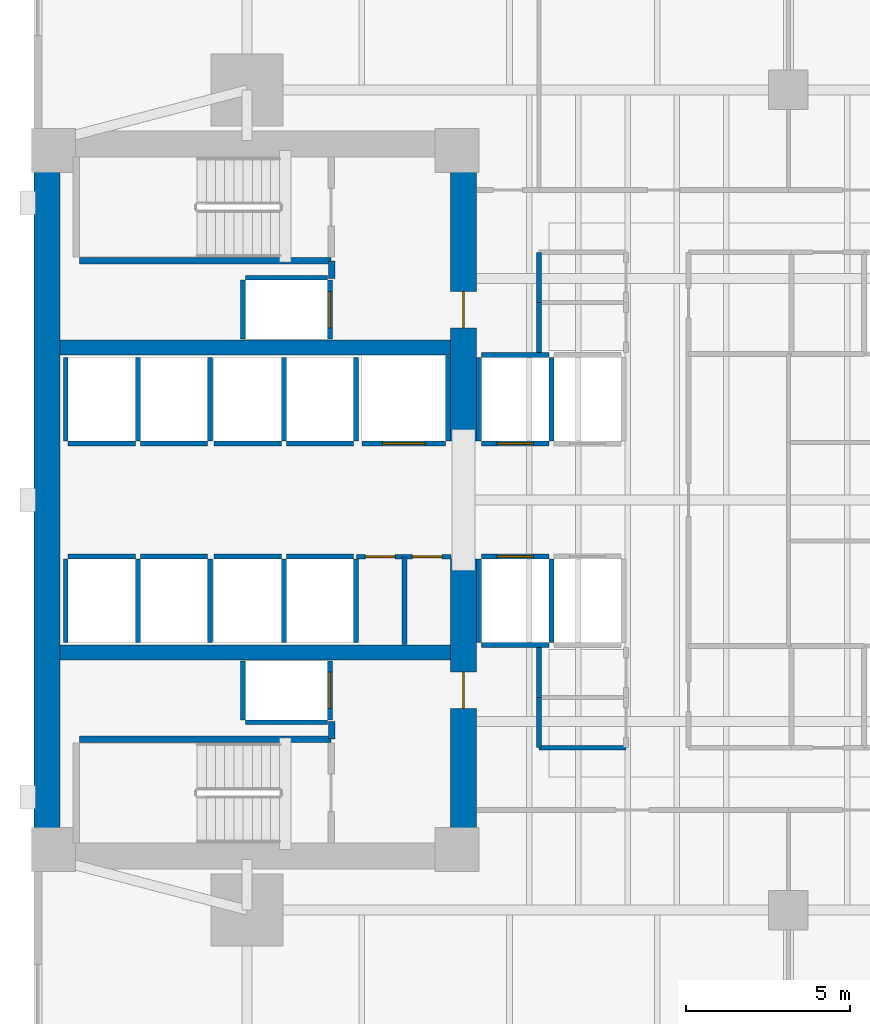
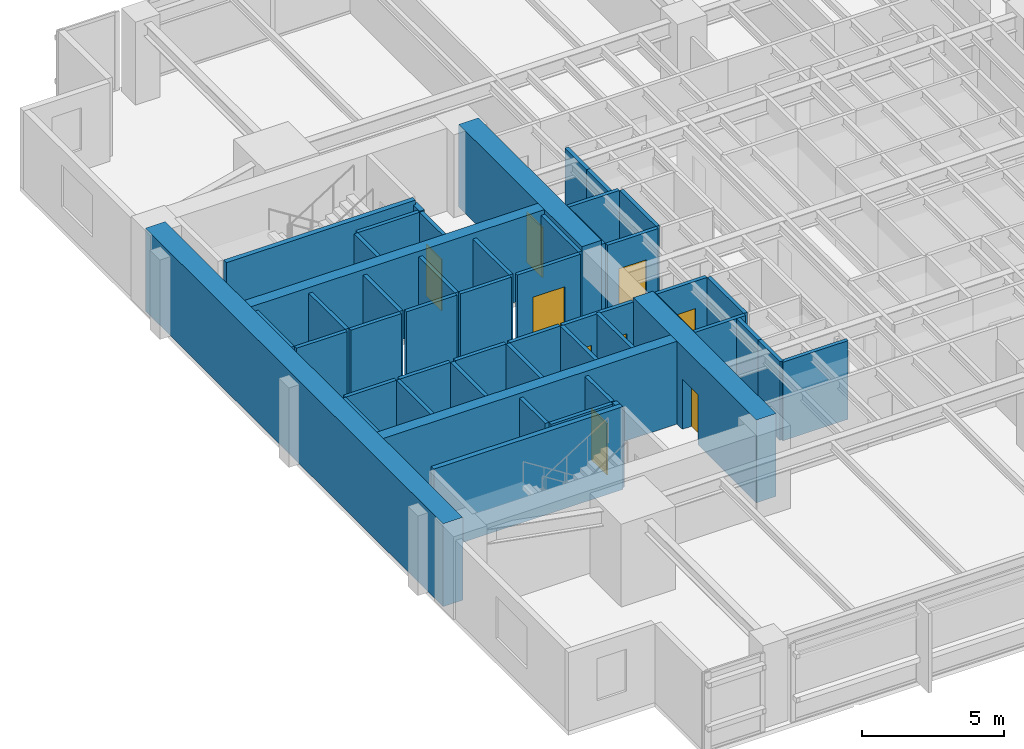
# One storey, part 8 of 15: 50 walls, 9 doors, 9 openings.
"""IFC4 building model written with IfcOpenShell, lengths in metres."""

import ifcopenshell
import ifcopenshell.guid

model = None  # the IFC model being written
_history = None  # IfcOwnerHistory: only IFC2X3 demands one
_inside = {}  # id of a spatial element -> (the spatial element, [elements in it])
_under = {}  # id of a project, library or spatial element -> (it, [spatial elements below it])
_declared = {}  # id of a project -> (the project, [libraries it declares])
_typed = {}  # id of a type object -> (the type object, [elements of that type])
_made_of = {}  # id of a material, layer set ... -> (it, [elements and type objects made of it])


def new_model(schema):
    """Start an empty IFC model of exactly this schema.

    Asked for "IFC4X3", IfcOpenShell would pick the latest addendum, in which some entities
    have other attributes; the version numbers below select the first issue.
    IFC2X3 requires an IfcOwnerHistory on every rooted entity: one is made here for all.
    """
    global model, _history
    if schema == "IFC4X3":
        model = ifcopenshell.file(schema_version=(4, 3, 0, 0))
    else:
        model = ifcopenshell.file(schema=schema)
    _inside.clear()
    _under.clear()
    _declared.clear()
    _typed.clear()
    _made_of.clear()
    _history = None
    if model.schema == "IFC2X3":
        org = make("IfcOrganization", Name="unknown")
        user = make(
            "IfcPersonAndOrganization",
            ThePerson=make("IfcPerson", FamilyName="unknown"),
            TheOrganization=org,
        )
        app = make(
            "IfcApplication",
            ApplicationDeveloper=org,
            Version="unknown",
            ApplicationFullName="unknown",
            ApplicationIdentifier="unknown",
        )
        _history = make(
            "IfcOwnerHistory",
            OwningUser=user,
            OwningApplication=app,
            ChangeAction="ADDED",
            CreationDate=0,
        )
    return model


def make(cls, **values):
    """One entity of the class cls with the attributes given. An attribute that is None is left unset."""
    return model.create_entity(
        cls, **{name: value for name, value in values.items() if value is not None}
    )


def rooted(cls, **values):
    """An entity with a GlobalId (a new one), such as an element, a storey or a relation."""
    return make(cls, GlobalId=ifcopenshell.guid.new(), OwnerHistory=_history, **values)


def si_unit(unit_type, name, prefix=None):
    """IfcSIUnit, for example si_unit("LENGTHUNIT", "METRE", prefix="MILLI")."""
    return make("IfcSIUnit", UnitType=unit_type, Prefix=prefix, Name=name)


def assignment(units):
    """IfcUnitAssignment: the units of a project."""
    return None if units is None else make("IfcUnitAssignment", Units=units)


def point(xyz):
    """IfcCartesianPoint."""
    return None if xyz is None else make("IfcCartesianPoint", Coordinates=xyz)


def direction(xyz):
    """IfcDirection."""
    return None if xyz is None else make("IfcDirection", DirectionRatios=xyz)


def frame(location, z_axis=None, x_axis=None):
    """IfcAxis2Placement3D, a coordinate frame: its origin and axes. An axis left out is left unset."""
    return make(
        "IfcAxis2Placement3D",
        Location=point(location),
        Axis=direction(z_axis),
        RefDirection=direction(x_axis),
    )


def frame_2d(location, x_axis=None):
    """IfcAxis2Placement2D, a coordinate frame in the plane: its origin and x axis."""
    return make(
        "IfcAxis2Placement2D", Location=point(location), RefDirection=direction(x_axis)
    )


def origin():
    """The frame at (0, 0, 0) with its axes left unset."""
    return frame((0.0, 0.0, 0.0))


def place(relative_to, where):
    """IfcLocalPlacement: puts the frame where relative to a parent placement (None: the world)."""
    return make(
        "IfcLocalPlacement", PlacementRelTo=relative_to, RelativePlacement=where
    )


def context(
    kind, dimensions, precision=None, world=None, true_north=None, identifier=None
):
    """IfcGeometricRepresentationContext, for example the 3D "Model" context."""
    return make(
        "IfcGeometricRepresentationContext",
        ContextIdentifier=identifier,
        ContextType=kind,
        CoordinateSpaceDimension=dimensions,
        Precision=precision,
        WorldCoordinateSystem=world,
        TrueNorth=true_north,
    )


def subcontext(parent, identifier, kind, view, scale=None):
    """IfcGeometricRepresentationSubContext, for example "Body" below "Model"."""
    return make(
        "IfcGeometricRepresentationSubContext",
        ContextIdentifier=identifier,
        ContextType=kind,
        ParentContext=parent,
        TargetScale=scale,
        TargetView=view,
    )


def project(units=None, contexts=None):
    """IfcProject with its units and contexts."""
    return rooted(
        "IfcProject",
        Name="project",
        RepresentationContexts=contexts,
        UnitsInContext=assignment(units),
    )


def spatial(cls, under=None, at=None, **own):
    """A site, building, storey or space (cls), placed at a placement, below another one or the project."""
    s = rooted(cls, ObjectPlacement=at, **own)
    if under is not None:
        _under.setdefault(under.id(), (under, []))[1].append(s)
    return s


def profile(cls, at=None, kind="AREA", **sizes):
    """A parametric profile (cls). Its sizes go by their IFC names, for example OverallWidth=200.0."""
    return make(cls, ProfileType=kind, Position=at, **sizes)


def rectangle(**sizes):
    """IfcRectangleProfileDef."""
    return profile("IfcRectangleProfileDef", **sizes)


def extrude(swept, where, along, depth):
    """IfcExtrudedAreaSolid: the profile swept, set in the frame where, extruded along a direction by depth."""
    return make(
        "IfcExtrudedAreaSolid",
        SweptArea=swept,
        Position=where,
        ExtrudedDirection=direction(along),
        Depth=depth,
    )


def shape(context_of_items, identifier, shape_type, items):
    """IfcShapeRepresentation: the items that make up one representation, for example the "Body"."""
    return make(
        "IfcShapeRepresentation",
        ContextOfItems=context_of_items,
        RepresentationIdentifier=identifier,
        RepresentationType=shape_type,
        Items=items,
    )


def material(Name=None, Category=None):
    """IfcMaterial."""
    return make("IfcMaterial", Name=Name, Category=Category)


def layer(
    of_material, thickness, ventilated=None, Name=None, Category=None, Priority=None
):
    """IfcMaterialLayer: one layer of a wall or slab, of a material (None: an air gap)."""
    return make(
        "IfcMaterialLayer",
        Material=of_material,
        LayerThickness=thickness,
        IsVentilated=ventilated,
        Name=Name,
        Category=Category,
        Priority=Priority,
    )


def layer_set(layers, Name=None):
    """IfcMaterialLayerSet."""
    return make("IfcMaterialLayerSet", MaterialLayers=layers, LayerSetName=Name)


def made_of(thing, what):
    """Note that an element or type object is made of a material, layer set ...; save() writes the relation."""
    if what is not None:
        _made_of.setdefault(what.id(), (what, []))[1].append(thing)
    return thing


def type_object(cls, material=None, **own):
    """A type object (cls), such as IfcWallType, which elements share."""
    return made_of(rooted(cls, **own), material)


def element(
    cls,
    number,
    at=None,
    inside=None,
    cuts=None,
    type_object=None,
    material=None,
    context=None,
    identifier="Body",
    shape_type=None,
    held_by="IfcProductDefinitionShape",
    body=None,
    shapes=None,
    **own,
):
    """One element of the class cls, such as IfcWall. Its Tag is "e" and its number.

    at: its placement. inside: the storey or other place that contains it. cuts: it is an
    opening in that element (IfcRelVoidsElement). A single representation is given by context,
    identifier, shape_type and body (its items); several are given by shapes. held_by: the class
    of the entity that holds the representations. save() writes the other relations.
    """
    e = rooted(cls, Tag="e%d" % number, ObjectPlacement=at, **own)
    if body is not None:
        shapes = [shape(context, identifier, shape_type, body)]
    if shapes is not None:
        e.Representation = make(held_by, Representations=shapes)
    if inside is not None:
        _inside.setdefault(inside.id(), (inside, []))[1].append(e)
    if cuts is not None:
        rooted(
            "IfcRelVoidsElement", RelatingBuildingElement=cuts, RelatedOpeningElement=e
        )
    if type_object is not None:
        _typed.setdefault(type_object.id(), (type_object, []))[1].append(e)
    return made_of(e, material)


def fill(opening, filler):
    """IfcRelFillsElement: the door or window that sits in an opening."""
    return rooted(
        "IfcRelFillsElement",
        RelatingOpeningElement=opening,
        RelatedBuildingElement=filler,
    )


def aggregate(whole, parts):
    """IfcRelAggregates: a whole, such as a stair, and the parts it consists of."""
    return rooted("IfcRelAggregates", RelatingObject=whole, RelatedObjects=parts)


def save(model, path):
    """Write the relations noted so far, then the file.

    IfcRelAggregates (storeys below a building ...), IfcRelContainedInSpatialStructure (elements
    in a storey), IfcRelDefinesByType, IfcRelAssociatesMaterial and IfcRelDeclares: one each for
    every whole, place, type object, material and project.
    """
    for whole, parts in _under.values():
        aggregate(whole, parts)
    for where, things in _inside.values():
        rooted(
            "IfcRelContainedInSpatialStructure",
            RelatedElements=things,
            RelatingStructure=where,
        )
    for kind, things in _typed.values():
        rooted("IfcRelDefinesByType", RelatedObjects=things, RelatingType=kind)
    for what, things in _made_of.values():
        rooted("IfcRelAssociatesMaterial", RelatedObjects=things, RelatingMaterial=what)
    for by, libraries in _declared.values():
        rooted("IfcRelDeclares", RelatingContext=by, RelatedDefinitions=libraries)
    model.write(path)


model = new_model("IFC4")

# Units and contexts
model_context = context("Model", 3, precision=1e-05, world=origin(), true_north=direction((0.0, 1.0)))
body_context = subcontext(model_context, "Body", "Model", "MODEL_VIEW")
ifc_project = project(units=[si_unit("LENGTHUNIT", "METRE"), si_unit("AREAUNIT", "SQUARE_METRE"), si_unit("VOLUMEUNIT", "CUBIC_METRE"), si_unit("PLANEANGLEUNIT", "RADIAN"), si_unit("MASSUNIT", "GRAM", prefix="KILO")], contexts=[model_context])

# Site, building, storey
site_placement = place(None, origin())
site = spatial("IfcSite", under=ifc_project, at=site_placement, CompositionType="ELEMENT")
building_placement = place(site_placement, origin())
building = spatial("IfcBuilding", under=site, at=building_placement, Name="Kinhvarn Gate Tower", CompositionType="ELEMENT")
storey_placement = place(building_placement, frame((0.0, 0.0, 71.75)))
storey = spatial("IfcBuildingStorey", under=building, at=storey_placement, Name="L18", CompositionType="ELEMENT", Elevation=71.75)

# Walls
ifc_material_1 = material(Name="Concrete C50/60", Category="concrete")
ifc_layer_1 = layer(ifc_material_1, 0.449951171875)
ifc_layer_set_1 = layer_set([ifc_layer_1], Name="Concrete C50/60")
wall_type_1 = type_object("IfcWallType", Name="WL-CORE-450", PredefinedType="SHEAR", material=ifc_layer_set_1)
for number, where, z_axis, x_axis, name in (
    (1, (5.300048828125, 20.60009765625, 0.0), (0.0, 0.0, 1.0), (1.0, 0.0, 0.0), "Core South Spine Shear Wall L18 450 mm"),
    (2, (5.300048828125, 29.89990234375, 0.0), (0.0, 0.0, 1.0), (1.0, 0.0, 0.0), "Core North Spine Shear Wall L18 450 mm"),
):
    element("IfcWall", number, at=place(storey_placement, frame(where, z_axis=z_axis, x_axis=x_axis)), inside=storey, type_object=wall_type_1, Name=name, PredefinedType="SHEAR", context=body_context, shape_type="SweptSolid", body=[
        extrude(rectangle(XDim=11.89990234375, YDim=0.449951171875, at=frame_2d((5.949951171875, 0.0))), origin(), (0.0, 0.0, 1.0), 3.550048828125),
    ])

# Wall, opening, door
ifc_material_2 = material(Name="Concrete C70/85", Category="concrete")
ifc_layer_2 = layer(ifc_material_2, 0.800048828125)
ifc_layer_set_2 = layer_set([ifc_layer_2], Name="Concrete C70/85")
wall_type_2 = type_object("IfcWallType", Name="WL-CORE-800", PredefinedType="SHEAR", material=ifc_layer_set_2)
wall_1_placement = place(storey_placement, frame((17.60009765625, 14.800048828125, 0.0), z_axis=(0.0, 0.0, 1.0), x_axis=(0.0, 1.0, 0.0)))
wall_1 = element("IfcWall", 3, at=wall_1_placement, inside=storey, type_object=wall_type_2, Name="Core East-South Shear Pier L18 800 mm", PredefinedType="SHEAR", context=body_context, shape_type="SweptSolid", body=[
    extrude(rectangle(XDim=8.64990234375, YDim=0.800048828125, at=frame_2d((4.324951171875, 0.0))), origin(), (0.0, 0.0, 1.0), 3.550048828125),
])
opening_1_placement = place(wall_1_placement, frame((4.10009765625, 0.0, 0.0)))
opening_1 = element("IfcOpeningElement", 4, at=opening_1_placement, cuts=wall_1, Name="Opening FD-02", PredefinedType="OPENING", context=body_context, shape_type="SweptSolid", body=[
    extrude(rectangle(XDim=1.10009765625, YDim=2.14990234375, at=frame_2d((0.550048828125, 1.074951171875))), frame((0.0, 0.41015625, 0.0), z_axis=(0.0, -1.0, 0.0), x_axis=(1.0, 0.0, 0.0)), (0.0, 0.0, 1.0), 0.820068359375),
])
ifc_material_3 = material(Name="Anodised aluminium AW-6063", Category="aluminium")
door_type_1 = type_object("IfcDoorType", Name="DR-FD-1100", OperationType="NOTDEFINED", PredefinedType="DOOR", material=ifc_material_3)
door_1_placement = place(opening_1_placement, origin())
door_1 = element("IfcDoor", 5, at=door_1_placement, inside=storey, type_object=door_type_1, Name="Firefighting Lobby Core Door (L18)", OperationType="SINGLE_SWING_RIGHT", OverallHeight=2.14990234375, OverallWidth=1.10009765625, PredefinedType="DOOR", context=body_context, shape_type="SweptSolid", body=[
    extrude(rectangle(XDim=1.10009765625, YDim=2.14990234375, at=frame_2d((0.550048828125, 1.074951171875))), frame((0.0, 0.02490234375, 0.0), z_axis=(0.0, -1.0, 0.0), x_axis=(1.0, 0.0, 0.0)), (0.0, 0.0, 1.0), 0.050048828125),
])
fill(opening_1, door_1)

wall_2_placement = place(storey_placement, frame((17.60009765625, 27.050048828125, 0.0), z_axis=(0.0, 0.0, 1.0), x_axis=(0.0, 1.0, 0.0)))
wall_2 = element("IfcWall", 6, at=wall_2_placement, inside=storey, type_object=wall_type_2, Name="Core East-North Shear Pier L18 800 mm", PredefinedType="SHEAR", context=body_context, shape_type="SweptSolid", body=[
    extrude(rectangle(XDim=8.64990234375, YDim=0.800048828125, at=frame_2d((4.324951171875, 0.0))), origin(), (0.0, 0.0, 1.0), 3.550048828125),
])
opening_2_placement = place(wall_2_placement, frame((3.449951171875, 0.0, 0.0)))
opening_2 = element("IfcOpeningElement", 7, at=opening_2_placement, cuts=wall_2, Name="Opening FD-02", PredefinedType="OPENING", context=body_context, shape_type="SweptSolid", body=[
    extrude(rectangle(XDim=1.10009765625, YDim=2.14990234375, at=frame_2d((0.550048828125, 1.074951171875))), frame((0.0, 0.41015625, 0.0), z_axis=(0.0, -1.0, 0.0), x_axis=(1.0, 0.0, 0.0)), (0.0, 0.0, 1.0), 0.820068359375),
])
door_2_placement = place(opening_2_placement, origin())
door_2 = element("IfcDoor", 8, at=door_2_placement, inside=storey, type_object=door_type_1, Name="Firefighting Lobby Core Door (L18)", OperationType="SINGLE_SWING_LEFT", OverallHeight=2.14990234375, OverallWidth=1.10009765625, PredefinedType="DOOR", context=body_context, shape_type="SweptSolid", body=[
    extrude(rectangle(XDim=1.10009765625, YDim=2.14990234375, at=frame_2d((0.550048828125, 1.074951171875))), frame((0.0, 0.02490234375, 0.0), z_axis=(0.0, -1.0, 0.0), x_axis=(1.0, 0.0, 0.0)), (0.0, 0.0, 1.0), 0.050048828125),
])
fill(opening_2, door_2)

# Walls
ifc_layer_3 = layer(ifc_material_2, 0.800048828125)
ifc_layer_set_3 = layer_set([ifc_layer_3], Name="Concrete C70/85")
wall_type_3 = type_object("IfcWallType", Name="WL-COREX-800", PredefinedType="SHEAR", material=ifc_layer_set_3)
wall_3_placement = place(storey_placement, frame((4.89990234375, 14.800048828125, 0.0), z_axis=(0.0, 0.0, 1.0), x_axis=(0.0, 1.0, 0.0)))
element("IfcWall", 9, at=wall_3_placement, inside=storey, type_object=wall_type_3, Name="Core West Shear Wall L18 800 mm", PredefinedType="SHEAR", context=body_context, shape_type="SweptSolid", body=[
    extrude(rectangle(XDim=20.89990234375, YDim=0.800048828125, at=frame_2d((10.449951171875, 0.0))), origin(), (0.0, 0.0, 1.0), 3.550048828125),
])
ifc_material_4 = material(Name="Gypsum acoustic partition board")
ifc_layer_4 = layer(ifc_material_4, 0.14990234375)
ifc_layer_set_4 = layer_set([ifc_layer_4], Name="Gypsum acoustic partition board")
wall_type_4 = type_object("IfcWallType", Name="WL-PRT-150F", PredefinedType="PARTITIONING", material=ifc_layer_set_4)
wall_4_placement = place(storey_placement, frame((15.800048828125, 20.85009765625, 0.0), z_axis=(0.0, 0.0, 1.0), x_axis=(0.0, 1.0, 0.0)))
element("IfcWall", 10, at=wall_4_placement, inside=storey, type_object=wall_type_4, Name="Interior Partition PW-150F (L18)", PredefinedType="PARTITIONING", context=body_context, shape_type="SweptSolid", body=[
    extrude(rectangle(XDim=2.669921875, YDim=0.14990234375, at=frame_2d((1.3349609375, 0.0))), origin(), (0.0, 0.0, 1.0), 3.3701171875),
])

# Wall, openings, doors
wall_5_placement = place(storey_placement, frame((14.330078125, 23.52001953125, 0.0), z_axis=(0.0, 0.0, 1.0), x_axis=(1.0, 0.0, 0.0)))
wall_5 = element("IfcWall", 11, at=wall_5_placement, inside=storey, type_object=wall_type_4, Name="Interior Partition PW-150F (L18)", PredefinedType="PARTITIONING", context=body_context, shape_type="SweptSolid", body=[
    extrude(rectangle(XDim=2.889892578125, YDim=0.14990234375, at=frame_2d((1.44482421875, 0.0))), origin(), (0.0, 0.0, 1.0), 3.3701171875),
])
opening_3_placement = place(wall_5_placement, frame((0.280029296875, 0.0, 0.0)))
opening_3 = element("IfcOpeningElement", 12, at=opening_3_placement, cuts=wall_5, Name="Opening FD-04", PredefinedType="OPENING", context=body_context, shape_type="SweptSolid", body=[
    extrude(rectangle(XDim=0.89990234375, YDim=2.10009765625, at=frame_2d((0.449951171875, 1.050048828125))), frame((0.0, 0.0849609375, 0.0), z_axis=(0.0, -1.0, 0.0), x_axis=(1.0, 0.0, 0.0)), (0.0, 0.0, 1.0), 0.169921875),
])
opening_4_placement = place(wall_5_placement, frame((1.7099609375, 0.0, 0.0)))
opening_4 = element("IfcOpeningElement", 13, at=opening_4_placement, cuts=wall_5, Name="Opening FD-04", PredefinedType="OPENING", context=body_context, shape_type="SweptSolid", body=[
    extrude(rectangle(XDim=0.89990234375, YDim=2.10009765625, at=frame_2d((0.449951171875, 1.050048828125))), frame((0.0, 0.0849609375, 0.0), z_axis=(0.0, -1.0, 0.0), x_axis=(1.0, 0.0, 0.0)), (0.0, 0.0, 1.0), 0.169921875),
])
door_type_2 = type_object("IfcDoorType", Name="DR-FD-900", OperationType="NOTDEFINED", PredefinedType="DOOR", material=ifc_material_3)
door_3_placement = place(opening_3_placement, origin())
door_3 = element("IfcDoor", 14, at=door_3_placement, inside=storey, type_object=door_type_2, Name="Rated Riser & Service Closet Fire Door 900x2100 mm (L18)", OperationType="SINGLE_SWING_LEFT", OverallHeight=2.10009765625, OverallWidth=0.89990234375, PredefinedType="DOOR", context=body_context, shape_type="SweptSolid", body=[
    extrude(rectangle(XDim=0.89990234375, YDim=2.10009765625, at=frame_2d((0.449951171875, 1.050048828125))), frame((0.0, 0.02490234375, 0.0), z_axis=(0.0, -1.0, 0.0), x_axis=(1.0, 0.0, 0.0)), (0.0, 0.0, 1.0), 0.050048828125),
])
fill(opening_3, door_3)
door_4_placement = place(opening_4_placement, origin())
door_4 = element("IfcDoor", 15, at=door_4_placement, inside=storey, type_object=door_type_2, Name="Rated Riser & Service Closet Fire Door 900x2100 mm (L18)", OperationType="SINGLE_SWING_RIGHT", OverallHeight=2.10009765625, OverallWidth=0.89990234375, PredefinedType="DOOR", context=body_context, shape_type="SweptSolid", body=[
    extrude(rectangle(XDim=0.89990234375, YDim=2.10009765625, at=frame_2d((0.449951171875, 1.050048828125))), frame((0.0, 0.02490234375, 0.0), z_axis=(0.0, -1.0, 0.0), x_axis=(1.0, 0.0, 0.0)), (0.0, 0.0, 1.0), 0.050048828125),
])
fill(opening_4, door_4)

# Walls
wall_6_placement = place(storey_placement, frame((19.89990234375, 17.699951171875, 0.0), z_axis=(0.0, 0.0, 1.0), x_axis=(0.0, 1.0, 0.0)))
element("IfcWall", 16, at=wall_6_placement, inside=storey, type_object=wall_type_4, Name="Interior Partition PW-150F (L18)", PredefinedType="PARTITIONING", context=body_context, shape_type="SweptSolid", body=[
    extrude(rectangle(XDim=1.530029296875, YDim=0.14990234375, at=frame_2d((0.76513671875, 0.0))), origin(), (0.0, 0.0, 1.0), 3.3701171875),
])
for number, where, z_axis, x_axis, name in (
    (17, (19.89990234375, 19.22998046875, 0.0), (0.0, 0.0, 1.0), (0.0, 1.0, 0.0), "Interior Partition PW-150F (L18)"),
    (18, (19.89990234375, 29.75, 0.0), (0.0, 0.0, 1.0), (0.0, 1.0, 0.0), "Interior Partition PW-150F (L18)"),
):
    element("IfcWall", number, at=place(storey_placement, frame(where, z_axis=z_axis, x_axis=x_axis)), inside=storey, type_object=wall_type_4, Name=name, PredefinedType="PARTITIONING", context=body_context, shape_type="SweptSolid", body=[
        extrude(rectangle(XDim=1.52001953125, YDim=0.14990234375, at=frame_2d((0.760009765625, 0.0))), origin(), (0.0, 0.0, 1.0), 3.3701171875),
    ])
wall_7_placement = place(storey_placement, frame((19.89990234375, 31.27001953125, 0.0), z_axis=(0.0, 0.0, 1.0), x_axis=(0.0, 1.0, 0.0)))
element("IfcWall", 19, at=wall_7_placement, inside=storey, type_object=wall_type_4, Name="Interior Partition PW-150F (L18)", PredefinedType="PARTITIONING", context=body_context, shape_type="SweptSolid", body=[
    extrude(rectangle(XDim=1.530029296875, YDim=0.14990234375, at=frame_2d((0.76513671875, 0.0))), origin(), (0.0, 0.0, 1.0), 3.3701171875),
])
wall_8_placement = place(storey_placement, frame((19.89990234375, 17.699951171875, 0.0), z_axis=(0.0, 0.0, 1.0), x_axis=(1.0, 0.0, 0.0)))
element("IfcWall", 20, at=wall_8_placement, inside=storey, type_object=wall_type_4, Name="Interior Partition PW-150F (L18)", PredefinedType="PARTITIONING", context=body_context, shape_type="SweptSolid", body=[
    extrude(rectangle(XDim=2.650146484375, YDim=0.14990234375, at=frame_2d((1.3251953125, 0.0))), origin(), (0.0, 0.0, 1.0), 3.3701171875),
])
ifc_layer_5 = layer(ifc_material_4, 0.199951171875)
ifc_layer_set_5 = layer_set([ifc_layer_5], Name="Gypsum acoustic partition board")
wall_type_5 = type_object("IfcWallType", Name="WL-PRT-200", PredefinedType="PARTITIONING", material=ifc_layer_set_5)
for number, where, z_axis, x_axis, name in (
    (21, (13.580078125, 17.9599609375, 0.0), (0.0, 0.0, 1.0), (0.0, 1.0, 0.0), "Interior Partition PW-200 (L18)"),
    (22, (13.580078125, 32.0, 0.0), (0.0, 0.0, 1.0), (0.0, 1.0, 0.0), "Interior Partition PW-200 (L18)"),
):
    element("IfcWall", number, at=place(storey_placement, frame(where, z_axis=z_axis, x_axis=x_axis)), inside=storey, type_object=wall_type_5, Name=name, PredefinedType="PARTITIONING", context=body_context, shape_type="SweptSolid", body=[
        extrude(rectangle(XDim=0.5400390625, YDim=0.199951171875, at=frame_2d((0.27001953125, 0.0))), origin(), (0.0, 0.0, 1.0), 3.3701171875),
    ])
ifc_layer_6 = layer(ifc_material_4, 0.14990234375)
ifc_layer_set_6 = layer_set([ifc_layer_6], Name="Gypsum acoustic partition board")
wall_type_6 = type_object("IfcWallType", Name="WL-SHF-150", PredefinedType="PARTITIONING", material=ifc_layer_set_6)
wall_9_placement = place(storey_placement, frame((18.14990234375, 20.824951171875, 0.0), z_axis=(0.0, 0.0, 1.0), x_axis=(1.0, 0.0, 0.0)))
element("IfcWall", 23, at=wall_9_placement, inside=storey, type_object=wall_type_6, Name="Elevator PL-01 Hoistway Wall S (L18)", PredefinedType="PARTITIONING", context=body_context, shape_type="SweptSolid", body=[
    extrude(rectangle(XDim=2.050048828125, YDim=0.14990234375, at=frame_2d((1.02490234375, 0.0))), origin(), (0.0, 0.0, 1.0), 3.3701171875),
])

# Wall, opening, door
wall_10_placement = place(storey_placement, frame((18.14990234375, 23.52490234375, 0.0), z_axis=(0.0, 0.0, 1.0), x_axis=(1.0, 0.0, 0.0)))
wall_10 = element("IfcWall", 24, at=wall_10_placement, inside=storey, type_object=wall_type_6, Name="Elevator PL-01 Landing Wall (L18)", PredefinedType="PARTITIONING", context=body_context, shape_type="SweptSolid", body=[
    extrude(rectangle(XDim=2.050048828125, YDim=0.14990234375, at=frame_2d((1.02490234375, 0.0))), origin(), (0.0, 0.0, 1.0), 3.3701171875),
])
opening_5_placement = place(wall_10_placement, frame((0.47509765625, 0.0, 0.0)))
opening_5 = element("IfcOpeningElement", 25, at=opening_5_placement, cuts=wall_10, Name="Opening LD-01", PredefinedType="OPENING", context=body_context, shape_type="SweptSolid", body=[
    extrude(rectangle(XDim=1.10009765625, YDim=2.199951171875, at=frame_2d((0.550048828125, 1.10009765625))), frame((0.0, 0.0849609375, 0.0), z_axis=(0.0, -1.0, 0.0), x_axis=(1.0, 0.0, 0.0)), (0.0, 0.0, 1.0), 0.169921875),
])
door_type_3 = type_object("IfcDoorType", Name="DR-LND-PAS", OperationType="NOTDEFINED", PredefinedType="DOOR", material=ifc_material_3)
door_5_placement = place(opening_5_placement, origin())
door_5 = element("IfcDoor", 26, at=door_5_placement, inside=storey, type_object=door_type_3, Name="Elevator PL-01 Sliding Landing Door (L18)", OperationType="DOUBLE_DOOR_SLIDING", OverallHeight=2.199951171875, OverallWidth=1.10009765625, PredefinedType="DOOR", context=body_context, shape_type="SweptSolid", body=[
    extrude(rectangle(XDim=1.10009765625, YDim=2.199951171875, at=frame_2d((0.550048828125, 1.10009765625))), frame((0.0, 0.02490234375, 0.0), z_axis=(0.0, -1.0, 0.0), x_axis=(1.0, 0.0, 0.0)), (0.0, 0.0, 1.0), 0.050048828125),
])
fill(opening_5, door_5)

# Walls
for number, where, z_axis, x_axis, name in (
    (27, (18.074951171875, 20.89990234375, 0.0), (0.0, 0.0, 1.0), (0.0, 1.0, 0.0), "Elevator PL-01 Hoistway Wall W (L18)"),
    (28, (20.27490234375, 20.89990234375, 0.0), (0.0, 0.0, 1.0), (0.0, 1.0, 0.0), "Elevator PL-01 Hoistway Wall E (L18)"),
):
    element("IfcWall", number, at=place(storey_placement, frame(where, z_axis=z_axis, x_axis=x_axis)), inside=storey, type_object=wall_type_6, Name=name, PredefinedType="PARTITIONING", context=body_context, shape_type="SweptSolid", body=[
        extrude(rectangle(XDim=2.550048828125, YDim=0.14990234375, at=frame_2d((1.27490234375, 0.0))), origin(), (0.0, 0.0, 1.0), 3.3701171875),
    ])

# Wall, opening, door
wall_11_placement = place(storey_placement, frame((18.14990234375, 26.97509765625, 0.0), z_axis=(0.0, 0.0, 1.0), x_axis=(1.0, 0.0, 0.0)))
wall_11 = element("IfcWall", 29, at=wall_11_placement, inside=storey, type_object=wall_type_6, Name="Elevator PL-03 Landing Wall (L18)", PredefinedType="PARTITIONING", context=body_context, shape_type="SweptSolid", body=[
    extrude(rectangle(XDim=2.050048828125, YDim=0.14990234375, at=frame_2d((1.02490234375, 0.0))), origin(), (0.0, 0.0, 1.0), 3.3701171875),
])
opening_6_placement = place(wall_11_placement, frame((0.47509765625, 0.0, 0.0)))
opening_6 = element("IfcOpeningElement", 30, at=opening_6_placement, cuts=wall_11, Name="Opening LD-01", PredefinedType="OPENING", context=body_context, shape_type="SweptSolid", body=[
    extrude(rectangle(XDim=1.10009765625, YDim=2.199951171875, at=frame_2d((0.550048828125, 1.10009765625))), frame((0.0, 0.0849609375, 0.0), z_axis=(0.0, -1.0, 0.0), x_axis=(1.0, 0.0, 0.0)), (0.0, 0.0, 1.0), 0.169921875),
])
door_6_placement = place(opening_6_placement, origin())
door_6 = element("IfcDoor", 31, at=door_6_placement, inside=storey, type_object=door_type_3, Name="Elevator PL-03 Sliding Landing Door (L18)", OperationType="DOUBLE_DOOR_SLIDING", OverallHeight=2.199951171875, OverallWidth=1.10009765625, PredefinedType="DOOR", context=body_context, shape_type="SweptSolid", body=[
    extrude(rectangle(XDim=1.10009765625, YDim=2.199951171875, at=frame_2d((0.550048828125, 1.10009765625))), frame((0.0, 0.02490234375, 0.0), z_axis=(0.0, -1.0, 0.0), x_axis=(1.0, 0.0, 0.0)), (0.0, 0.0, 1.0), 0.050048828125),
])
fill(opening_6, door_6)

# Walls
wall_12_placement = place(storey_placement, frame((18.14990234375, 29.675048828125, 0.0), z_axis=(0.0, 0.0, 1.0), x_axis=(1.0, 0.0, 0.0)))
element("IfcWall", 32, at=wall_12_placement, inside=storey, type_object=wall_type_6, Name="Elevator PL-03 Hoistway Wall N (L18)", PredefinedType="PARTITIONING", context=body_context, shape_type="SweptSolid", body=[
    extrude(rectangle(XDim=2.050048828125, YDim=0.14990234375, at=frame_2d((1.02490234375, 0.0))), origin(), (0.0, 0.0, 1.0), 3.3701171875),
])
for number, where, z_axis, x_axis, name in (
    (33, (18.074951171875, 27.050048828125, 0.0), (0.0, 0.0, 1.0), (0.0, 1.0, 0.0), "Elevator PL-03 Hoistway Wall W (L18)"),
    (34, (20.27490234375, 27.050048828125, 0.0), (0.0, 0.0, 1.0), (0.0, 1.0, 0.0), "Elevator PL-03 Hoistway Wall E (L18)"),
):
    element("IfcWall", number, at=place(storey_placement, frame(where, z_axis=z_axis, x_axis=x_axis)), inside=storey, type_object=wall_type_6, Name=name, PredefinedType="PARTITIONING", context=body_context, shape_type="SweptSolid", body=[
        extrude(rectangle(XDim=2.550048828125, YDim=0.14990234375, at=frame_2d((1.27490234375, 0.0))), origin(), (0.0, 0.0, 1.0), 3.3701171875),
    ])
wall_13_placement = place(storey_placement, frame((5.550048828125, 23.52490234375, 0.0), z_axis=(0.0, 0.0, 1.0), x_axis=(1.0, 0.0, 0.0)))
element("IfcWall", 35, at=wall_13_placement, inside=storey, type_object=wall_type_6, Name="Elevator PM-05 Landing Wall (L18)", PredefinedType="PARTITIONING", context=body_context, shape_type="SweptSolid", body=[
    extrude(rectangle(XDim=2.050048828125, YDim=0.14990234375, at=frame_2d((1.02490234375, 0.0))), origin(), (0.0, 0.0, 1.0), 3.3701171875),
])
for number, where, z_axis, x_axis, name in (
    (36, (5.47509765625, 20.89990234375, 0.0), (0.0, 0.0, 1.0), (0.0, 1.0, 0.0), "Elevator PM-05 Hoistway Wall W (L18)"),
    (37, (7.675048828125, 20.89990234375, 0.0), (0.0, 0.0, 1.0), (0.0, 1.0, 0.0), "Elevator PM-05 Hoistway Wall E (L18)"),
):
    element("IfcWall", number, at=place(storey_placement, frame(where, z_axis=z_axis, x_axis=x_axis)), inside=storey, type_object=wall_type_6, Name=name, PredefinedType="PARTITIONING", context=body_context, shape_type="SweptSolid", body=[
        extrude(rectangle(XDim=2.550048828125, YDim=0.14990234375, at=frame_2d((1.27490234375, 0.0))), origin(), (0.0, 0.0, 1.0), 3.3701171875),
    ])
wall_14_placement = place(storey_placement, frame((7.75, 23.52490234375, 0.0), z_axis=(0.0, 0.0, 1.0), x_axis=(1.0, 0.0, 0.0)))
element("IfcWall", 38, at=wall_14_placement, inside=storey, type_object=wall_type_6, Name="Elevator PM-06 Landing Wall (L18)", PredefinedType="PARTITIONING", context=body_context, shape_type="SweptSolid", body=[
    extrude(rectangle(XDim=2.050048828125, YDim=0.14990234375, at=frame_2d((1.02490234375, 0.0))), origin(), (0.0, 0.0, 1.0), 3.3701171875),
])
wall_15_placement = place(storey_placement, frame((9.875, 20.89990234375, 0.0), z_axis=(0.0, 0.0, 1.0), x_axis=(0.0, 1.0, 0.0)))
element("IfcWall", 39, at=wall_15_placement, inside=storey, type_object=wall_type_6, Name="Elevator PM-06 Hoistway Wall E (L18)", PredefinedType="PARTITIONING", context=body_context, shape_type="SweptSolid", body=[
    extrude(rectangle(XDim=2.550048828125, YDim=0.14990234375, at=frame_2d((1.27490234375, 0.0))), origin(), (0.0, 0.0, 1.0), 3.3701171875),
])
wall_16_placement = place(storey_placement, frame((5.550048828125, 26.97509765625, 0.0), z_axis=(0.0, 0.0, 1.0), x_axis=(1.0, 0.0, 0.0)))
element("IfcWall", 40, at=wall_16_placement, inside=storey, type_object=wall_type_6, Name="Elevator PM-07 Landing Wall (L18)", PredefinedType="PARTITIONING", context=body_context, shape_type="SweptSolid", body=[
    extrude(rectangle(XDim=2.050048828125, YDim=0.14990234375, at=frame_2d((1.02490234375, 0.0))), origin(), (0.0, 0.0, 1.0), 3.3701171875),
])
for number, where, z_axis, x_axis, name in (
    (41, (5.47509765625, 27.050048828125, 0.0), (0.0, 0.0, 1.0), (0.0, 1.0, 0.0), "Elevator PM-07 Hoistway Wall W (L18)"),
    (42, (7.675048828125, 27.050048828125, 0.0), (0.0, 0.0, 1.0), (0.0, 1.0, 0.0), "Elevator PM-07 Hoistway Wall E (L18)"),
):
    element("IfcWall", number, at=place(storey_placement, frame(where, z_axis=z_axis, x_axis=x_axis)), inside=storey, type_object=wall_type_6, Name=name, PredefinedType="PARTITIONING", context=body_context, shape_type="SweptSolid", body=[
        extrude(rectangle(XDim=2.550048828125, YDim=0.14990234375, at=frame_2d((1.27490234375, 0.0))), origin(), (0.0, 0.0, 1.0), 3.3701171875),
    ])
wall_17_placement = place(storey_placement, frame((7.75, 26.97509765625, 0.0), z_axis=(0.0, 0.0, 1.0), x_axis=(1.0, 0.0, 0.0)))
element("IfcWall", 43, at=wall_17_placement, inside=storey, type_object=wall_type_6, Name="Elevator PM-08 Landing Wall (L18)", PredefinedType="PARTITIONING", context=body_context, shape_type="SweptSolid", body=[
    extrude(rectangle(XDim=2.050048828125, YDim=0.14990234375, at=frame_2d((1.02490234375, 0.0))), origin(), (0.0, 0.0, 1.0), 3.3701171875),
])
wall_18_placement = place(storey_placement, frame((9.875, 27.050048828125, 0.0), z_axis=(0.0, 0.0, 1.0), x_axis=(0.0, 1.0, 0.0)))
element("IfcWall", 44, at=wall_18_placement, inside=storey, type_object=wall_type_6, Name="Elevator PM-08 Hoistway Wall E (L18)", PredefinedType="PARTITIONING", context=body_context, shape_type="SweptSolid", body=[
    extrude(rectangle(XDim=2.550048828125, YDim=0.14990234375, at=frame_2d((1.27490234375, 0.0))), origin(), (0.0, 0.0, 1.0), 3.3701171875),
])
wall_19_placement = place(storey_placement, frame((10.0, 23.52490234375, 0.0), z_axis=(0.0, 0.0, 1.0), x_axis=(1.0, 0.0, 0.0)))
element("IfcWall", 45, at=wall_19_placement, inside=storey, type_object=wall_type_6, Name="Elevator PH-09 Landing Wall (L18)", PredefinedType="PARTITIONING", context=body_context, shape_type="SweptSolid", body=[
    extrude(rectangle(XDim=2.050048828125, YDim=0.14990234375, at=frame_2d((1.02490234375, 0.0))), origin(), (0.0, 0.0, 1.0), 3.3701171875),
])
wall_20_placement = place(storey_placement, frame((12.125, 20.89990234375, 0.0), z_axis=(0.0, 0.0, 1.0), x_axis=(0.0, 1.0, 0.0)))
element("IfcWall", 46, at=wall_20_placement, inside=storey, type_object=wall_type_6, Name="Elevator PH-09 Hoistway Wall E (L18)", PredefinedType="PARTITIONING", context=body_context, shape_type="SweptSolid", body=[
    extrude(rectangle(XDim=2.550048828125, YDim=0.14990234375, at=frame_2d((1.27490234375, 0.0))), origin(), (0.0, 0.0, 1.0), 3.3701171875),
])
wall_21_placement = place(storey_placement, frame((12.199951171875, 23.52490234375, 0.0), z_axis=(0.0, 0.0, 1.0), x_axis=(1.0, 0.0, 0.0)))
element("IfcWall", 47, at=wall_21_placement, inside=storey, type_object=wall_type_6, Name="Elevator PH-10 Landing Wall (L18)", PredefinedType="PARTITIONING", context=body_context, shape_type="SweptSolid", body=[
    extrude(rectangle(XDim=2.050048828125, YDim=0.14990234375, at=frame_2d((1.02490234375, 0.0))), origin(), (0.0, 0.0, 1.0), 3.3701171875),
])
wall_22_placement = place(storey_placement, frame((14.324951171875, 20.89990234375, 0.0), z_axis=(0.0, 0.0, 1.0), x_axis=(0.0, 1.0, 0.0)))
element("IfcWall", 48, at=wall_22_placement, inside=storey, type_object=wall_type_6, Name="Elevator PH-10 Hoistway Wall E (L18)", PredefinedType="PARTITIONING", context=body_context, shape_type="SweptSolid", body=[
    extrude(rectangle(XDim=2.550048828125, YDim=0.14990234375, at=frame_2d((1.27490234375, 0.0))), origin(), (0.0, 0.0, 1.0), 3.3701171875),
])
wall_23_placement = place(storey_placement, frame((10.0, 26.97509765625, 0.0), z_axis=(0.0, 0.0, 1.0), x_axis=(1.0, 0.0, 0.0)))
element("IfcWall", 49, at=wall_23_placement, inside=storey, type_object=wall_type_6, Name="Elevator PH-11 Landing Wall (L18)", PredefinedType="PARTITIONING", context=body_context, shape_type="SweptSolid", body=[
    extrude(rectangle(XDim=2.050048828125, YDim=0.14990234375, at=frame_2d((1.02490234375, 0.0))), origin(), (0.0, 0.0, 1.0), 3.3701171875),
])
wall_24_placement = place(storey_placement, frame((12.125, 27.050048828125, 0.0), z_axis=(0.0, 0.0, 1.0), x_axis=(0.0, 1.0, 0.0)))
element("IfcWall", 50, at=wall_24_placement, inside=storey, type_object=wall_type_6, Name="Elevator PH-11 Hoistway Wall E (L18)", PredefinedType="PARTITIONING", context=body_context, shape_type="SweptSolid", body=[
    extrude(rectangle(XDim=2.550048828125, YDim=0.14990234375, at=frame_2d((1.27490234375, 0.0))), origin(), (0.0, 0.0, 1.0), 3.3701171875),
])
wall_25_placement = place(storey_placement, frame((12.199951171875, 26.97509765625, 0.0), z_axis=(0.0, 0.0, 1.0), x_axis=(1.0, 0.0, 0.0)))
element("IfcWall", 51, at=wall_25_placement, inside=storey, type_object=wall_type_6, Name="Elevator PH-12 Landing Wall (L18)", PredefinedType="PARTITIONING", context=body_context, shape_type="SweptSolid", body=[
    extrude(rectangle(XDim=2.050048828125, YDim=0.14990234375, at=frame_2d((1.02490234375, 0.0))), origin(), (0.0, 0.0, 1.0), 3.3701171875),
])
wall_26_placement = place(storey_placement, frame((14.324951171875, 27.050048828125, 0.0), z_axis=(0.0, 0.0, 1.0), x_axis=(0.0, 1.0, 0.0)))
element("IfcWall", 52, at=wall_26_placement, inside=storey, type_object=wall_type_6, Name="Elevator PH-12 Hoistway Wall E (L18)", PredefinedType="PARTITIONING", context=body_context, shape_type="SweptSolid", body=[
    extrude(rectangle(XDim=2.550048828125, YDim=0.14990234375, at=frame_2d((1.27490234375, 0.0))), origin(), (0.0, 0.0, 1.0), 3.3701171875),
])

# Wall, opening, door
wall_27_placement = place(storey_placement, frame((14.5, 26.97509765625, 0.0), z_axis=(0.0, 0.0, 1.0), x_axis=(1.0, 0.0, 0.0)))
wall_27 = element("IfcWall", 53, at=wall_27_placement, inside=storey, type_object=wall_type_6, Name="Elevator SV-01 Landing Wall (L18)", PredefinedType="PARTITIONING", context=body_context, shape_type="SweptSolid", body=[
    extrude(rectangle(XDim=2.550048828125, YDim=0.14990234375, at=frame_2d((1.27490234375, 0.0))), origin(), (0.0, 0.0, 1.0), 3.3701171875),
])
opening_7_placement = place(wall_27_placement, frame((0.625, 0.0, 0.0)))
opening_7 = element("IfcOpeningElement", 54, at=opening_7_placement, cuts=wall_27, Name="Opening LD-02", PredefinedType="OPENING", context=body_context, shape_type="SweptSolid", body=[
    extrude(rectangle(XDim=1.300048828125, YDim=2.199951171875, at=frame_2d((0.64990234375, 1.10009765625))), frame((0.0, 0.0849609375, 0.0), z_axis=(0.0, -1.0, 0.0), x_axis=(1.0, 0.0, 0.0)), (0.0, 0.0, 1.0), 0.169921875),
])
door_type_4 = type_object("IfcDoorType", Name="DR-LND-SRV", OperationType="NOTDEFINED", PredefinedType="DOOR", material=ifc_material_3)
door_7_placement = place(opening_7_placement, origin())
door_7 = element("IfcDoor", 55, at=door_7_placement, inside=storey, type_object=door_type_4, Name="Elevator SV-01 Sliding Landing Door (L18)", OperationType="DOUBLE_DOOR_SLIDING", OverallHeight=2.199951171875, OverallWidth=1.300048828125, PredefinedType="DOOR", context=body_context, shape_type="SweptSolid", body=[
    extrude(rectangle(XDim=1.300048828125, YDim=2.199951171875, at=frame_2d((0.64990234375, 1.10009765625))), frame((0.0, 0.02490234375, 0.0), z_axis=(0.0, -1.0, 0.0), x_axis=(1.0, 0.0, 0.0)), (0.0, 0.0, 1.0), 0.050048828125),
])
fill(opening_7, door_7)

# Walls
wall_28_placement = place(storey_placement, frame((17.125, 27.050048828125, 0.0), z_axis=(0.0, 0.0, 1.0), x_axis=(0.0, 1.0, 0.0)))
element("IfcWall", 56, at=wall_28_placement, inside=storey, type_object=wall_type_6, Name="Elevator SV-01 Hoistway Wall E (L18)", PredefinedType="PARTITIONING", context=body_context, shape_type="SweptSolid", body=[
    extrude(rectangle(XDim=2.599853515625, YDim=0.14990234375, at=frame_2d((1.2998046875, 0.0))), origin(), (0.0, 0.0, 1.0), 3.3701171875),
])
wall_29_placement = place(storey_placement, frame((10.949951171875, 18.47509765625, 0.0), z_axis=(0.0, 0.0, 1.0), x_axis=(1.0, 0.0, 0.0)))
element("IfcWall", 57, at=wall_29_placement, inside=storey, type_object=wall_type_6, Name="Elevator FF1 Hoistway Wall S (L18)", PredefinedType="PARTITIONING", context=body_context, shape_type="SweptSolid", body=[
    extrude(rectangle(XDim=2.5, YDim=0.14990234375, at=frame_2d((1.25, 0.0))), origin(), (0.0, 0.0, 1.0), 3.3701171875),
])
wall_30_placement = place(storey_placement, frame((10.875, 18.550048828125, 0.0), z_axis=(0.0, 0.0, 1.0), x_axis=(0.0, 1.0, 0.0)))
element("IfcWall", 58, at=wall_30_placement, inside=storey, type_object=wall_type_6, Name="Elevator FF1 Hoistway Wall W (L18)", PredefinedType="PARTITIONING", context=body_context, shape_type="SweptSolid", body=[
    extrude(rectangle(XDim=1.800048828125, YDim=0.14990234375, at=frame_2d((0.89990234375, 0.0))), origin(), (0.0, 0.0, 1.0), 3.3701171875),
])

# Wall, opening, door
wall_31_placement = place(storey_placement, frame((13.52490234375, 18.550048828125, 0.0), z_axis=(0.0, 0.0, 1.0), x_axis=(0.0, 1.0, 0.0)))
wall_31 = element("IfcWall", 59, at=wall_31_placement, inside=storey, type_object=wall_type_6, Name="Elevator FF1 Landing Wall (L18)", PredefinedType="PARTITIONING", context=body_context, shape_type="SweptSolid", body=[
    extrude(rectangle(XDim=1.800048828125, YDim=0.14990234375, at=frame_2d((0.89990234375, 0.0))), origin(), (0.0, 0.0, 1.0), 3.3701171875),
])
opening_8_placement = place(wall_31_placement, frame((0.35009765625, 0.0, 0.0)))
opening_8 = element("IfcOpeningElement", 60, at=opening_8_placement, cuts=wall_31, Name="Opening LD-03", PredefinedType="OPENING", context=body_context, shape_type="SweptSolid", body=[
    extrude(rectangle(XDim=1.10009765625, YDim=2.199951171875, at=frame_2d((0.550048828125, 1.10009765625))), frame((0.0, 0.0849609375, 0.0), z_axis=(0.0, -1.0, 0.0), x_axis=(1.0, 0.0, 0.0)), (0.0, 0.0, 1.0), 0.169921875),
])
door_type_5 = type_object("IfcDoorType", Name="DR-LND-FF", OperationType="NOTDEFINED", PredefinedType="DOOR", material=ifc_material_3)
door_8_placement = place(opening_8_placement, origin())
door_8 = element("IfcDoor", 61, at=door_8_placement, inside=storey, type_object=door_type_5, Name="Elevator FF1 Sliding Landing Door (L18)", OperationType="DOUBLE_DOOR_SLIDING", OverallHeight=2.199951171875, OverallWidth=1.10009765625, PredefinedType="DOOR", context=body_context, shape_type="SweptSolid", body=[
    extrude(rectangle(XDim=1.10009765625, YDim=2.199951171875, at=frame_2d((0.550048828125, 1.10009765625))), frame((0.0, 0.02490234375, 0.0), z_axis=(0.0, -1.0, 0.0), x_axis=(1.0, 0.0, 0.0)), (0.0, 0.0, 1.0), 0.050048828125),
])
fill(opening_8, door_8)

# Walls
wall_32_placement = place(storey_placement, frame((10.949951171875, 32.02490234375, 0.0), z_axis=(0.0, 0.0, 1.0), x_axis=(1.0, 0.0, 0.0)))
element("IfcWall", 62, at=wall_32_placement, inside=storey, type_object=wall_type_6, Name="Elevator FF2 Hoistway Wall N (L18)", PredefinedType="PARTITIONING", context=body_context, shape_type="SweptSolid", body=[
    extrude(rectangle(XDim=2.5, YDim=0.14990234375, at=frame_2d((1.25, 0.0))), origin(), (0.0, 0.0, 1.0), 3.3701171875),
])
wall_33_placement = place(storey_placement, frame((10.875, 30.14990234375, 0.0), z_axis=(0.0, 0.0, 1.0), x_axis=(0.0, 1.0, 0.0)))
element("IfcWall", 63, at=wall_33_placement, inside=storey, type_object=wall_type_6, Name="Elevator FF2 Hoistway Wall W (L18)", PredefinedType="PARTITIONING", context=body_context, shape_type="SweptSolid", body=[
    extrude(rectangle(XDim=1.800048828125, YDim=0.14990234375, at=frame_2d((0.89990234375, 0.0))), origin(), (0.0, 0.0, 1.0), 3.3701171875),
])

# Wall, opening, door
wall_34_placement = place(storey_placement, frame((13.52490234375, 30.14990234375, 0.0), z_axis=(0.0, 0.0, 1.0), x_axis=(0.0, 1.0, 0.0)))
wall_34 = element("IfcWall", 64, at=wall_34_placement, inside=storey, type_object=wall_type_6, Name="Elevator FF2 Landing Wall (L18)", PredefinedType="PARTITIONING", context=body_context, shape_type="SweptSolid", body=[
    extrude(rectangle(XDim=1.800048828125, YDim=0.14990234375, at=frame_2d((0.89990234375, 0.0))), origin(), (0.0, 0.0, 1.0), 3.3701171875),
])
opening_9_placement = place(wall_34_placement, frame((0.35009765625, 0.0, 0.0)))
opening_9 = element("IfcOpeningElement", 65, at=opening_9_placement, cuts=wall_34, Name="Opening LD-03", PredefinedType="OPENING", context=body_context, shape_type="SweptSolid", body=[
    extrude(rectangle(XDim=1.10009765625, YDim=2.199951171875, at=frame_2d((0.550048828125, 1.10009765625))), frame((0.0, 0.0849609375, 0.0), z_axis=(0.0, -1.0, 0.0), x_axis=(1.0, 0.0, 0.0)), (0.0, 0.0, 1.0), 0.169921875),
])
door_9_placement = place(opening_9_placement, origin())
door_9 = element("IfcDoor", 66, at=door_9_placement, inside=storey, type_object=door_type_5, Name="Elevator FF2 Sliding Landing Door (L18)", OperationType="DOUBLE_DOOR_SLIDING", OverallHeight=2.199951171875, OverallWidth=1.10009765625, PredefinedType="DOOR", context=body_context, shape_type="SweptSolid", body=[
    extrude(rectangle(XDim=1.10009765625, YDim=2.199951171875, at=frame_2d((0.550048828125, 1.10009765625))), frame((0.0, 0.02490234375, 0.0), z_axis=(0.0, -1.0, 0.0), x_axis=(1.0, 0.0, 0.0)), (0.0, 0.0, 1.0), 0.050048828125),
])
fill(opening_9, door_9)

# Walls
ifc_material_5 = material(Name="Concrete C40/50", Category="concrete")
ifc_layer_7 = layer(ifc_material_5, 0.199951171875)
ifc_layer_set_7 = layer_set([ifc_layer_7], Name="Concrete C40/50")
wall_type_7 = type_object("IfcWallType", Name="WL-SHF-200", PredefinedType="SOLIDWALL", material=ifc_layer_set_7)
for number, where, z_axis, x_axis, name in (
    (67, (5.89990234375, 17.9599609375, 0.0), (0.0, 0.0, 1.0), (1.0, 0.0, 0.0), "Stair ST1 North Shaft Wall (L18)"),
    (68, (5.89990234375, 32.5400390625, 0.0), (0.0, 0.0, 1.0), (1.0, 0.0, 0.0), "Stair ST2 South Shaft Wall (L18)"),
):
    element("IfcWall", number, at=place(storey_placement, frame(where, z_axis=z_axis, x_axis=x_axis)), inside=storey, type_object=wall_type_7, Name=name, PredefinedType="SOLIDWALL", context=body_context, shape_type="SweptSolid", body=[
        extrude(rectangle(XDim=7.66015625, YDim=0.199951171875, at=frame_2d((3.830078125, 0.0))), origin(), (0.0, 0.0, 1.0), 3.550048828125),
    ])

save(model, "model.ifc")
